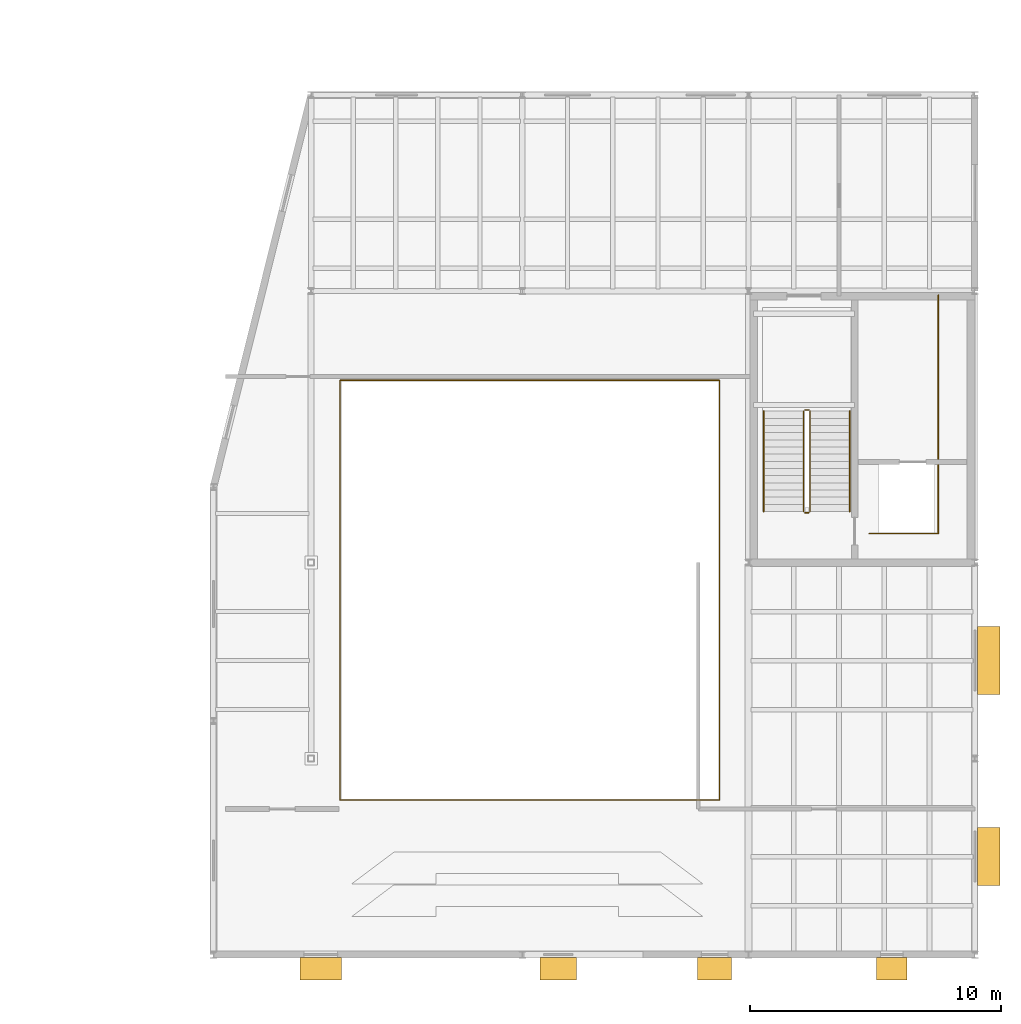
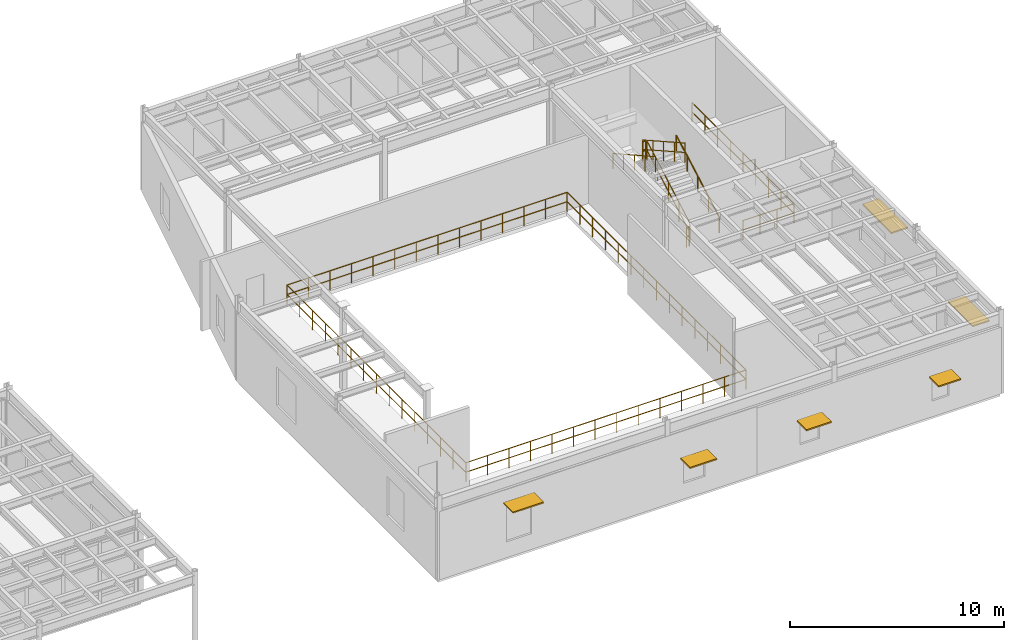
# One storey, part 116 of 116: 11 railings, 6 shading devices.
"""IFC4 building model written with IfcOpenShell, lengths in metres."""

from ifc_helpers import new_model, si_unit, direction, frame, origin, origin_2d, place, context, subcontext, project, spatial, rectangle, circle, extrude, material, layer, layer_set, type_object, element, save


model = new_model("IFC4")

# Units and contexts
model_context = context("Model", 3, precision=1e-05, world=origin(), true_north=direction((0.0, 1.0)))
body_context = subcontext(model_context, "Body", "Model", "MODEL_VIEW")
ifc_project = project(units=[si_unit("LENGTHUNIT", "METRE"), si_unit("AREAUNIT", "SQUARE_METRE"), si_unit("VOLUMEUNIT", "CUBIC_METRE"), si_unit("PLANEANGLEUNIT", "RADIAN"), si_unit("MASSUNIT", "GRAM", prefix="KILO")], contexts=[model_context])

# Site, building, storey
site_placement = place(None, origin())
site = spatial("IfcSite", under=ifc_project, at=site_placement, CompositionType="ELEMENT")
building_placement = place(site_placement, origin())
building = spatial("IfcBuilding", under=site, at=building_placement, Name="Selat Folded Stagehouse", CompositionType="ELEMENT")
storey_placement = place(building_placement, frame((0.0, 0.0, 5.39990234375)))
storey = spatial("IfcBuildingStorey", under=building, at=storey_placement, Name="L01", CompositionType="ELEMENT", Elevation=5.39990234375)

# Railings
ifc_material_1 = material(Name="Bronze-anodised steel balustrade", Category="steel")
ifc_layer_1 = layer(ifc_material_1, 0.06494140625)
ifc_layer_set_1 = layer_set([ifc_layer_1], Name="Bronze-anodised steel balustrade")
railing_type_1 = type_object("IfcRailingType", Name="RLG-BAL-1120", PredefinedType="BALUSTRADE", material=ifc_layer_set_1)
railing_1_placement = place(storey_placement, frame((135.550048828125, 6.14990234375, 0.0)))
element("IfcRailing", 1, at=railing_1_placement, inside=storey, type_object=railing_type_1, Name="L01 protective guard railing 042", PredefinedType="BALUSTRADE", context=body_context, shape_type="SweptSolid", body=[
    extrude(circle(Radius=0.02392578125, at=origin_2d()), frame((0.0, 0.0, 1.09619140625), z_axis=(1.0, 0.0, 0.0), x_axis=(0.0, 1.0, 0.0)), (0.0, 0.0, 1.0), 15.099853515625),
    extrude(circle(Radius=0.02392578125, at=origin_2d()), frame((0.0, 0.0, 0.56005859375), z_axis=(1.0, 0.0, 0.0), x_axis=(0.0, 1.0, 0.0)), (0.0, 0.0, 1.0), 15.099853515625),
    extrude(circle(Radius=0.02099609375, at=origin_2d()), origin(), (0.0, 0.0, 1.0), 1.072021484375),
    extrude(circle(Radius=0.02099609375, at=origin_2d()), frame((1.16162109375, 0.0, 0.0)), (0.0, 0.0, 1.0), 1.072021484375),
    extrude(circle(Radius=0.02099609375, at=origin_2d()), frame((2.322998046875, 0.0, 0.0)), (0.0, 0.0, 1.0), 1.072021484375),
    extrude(circle(Radius=0.02099609375, at=origin_2d()), frame((3.484619140625, 0.0, 0.0)), (0.0, 0.0, 1.0), 1.072021484375),
    extrude(circle(Radius=0.02099609375, at=origin_2d()), frame((4.64599609375, 0.0, 0.0)), (0.0, 0.0, 1.0), 1.072021484375),
    extrude(circle(Radius=0.02099609375, at=origin_2d()), frame((5.8076171875, 0.0, 0.0)), (0.0, 0.0, 1.0), 1.072021484375),
    extrude(circle(Radius=0.02099609375, at=origin_2d()), frame((6.96923828125, 0.0, 0.0)), (0.0, 0.0, 1.0), 1.072021484375),
    extrude(circle(Radius=0.02099609375, at=origin_2d()), frame((8.130615234375, 0.0, 0.0)), (0.0, 0.0, 1.0), 1.072021484375),
    extrude(circle(Radius=0.02099609375, at=origin_2d()), frame((9.292236328125, 0.0, 0.0)), (0.0, 0.0, 1.0), 1.072021484375),
    extrude(circle(Radius=0.02099609375, at=origin_2d()), frame((10.453857421875, 0.0, 0.0)), (0.0, 0.0, 1.0), 1.072021484375),
    extrude(circle(Radius=0.02099609375, at=origin_2d()), frame((11.615234375, 0.0, 0.0)), (0.0, 0.0, 1.0), 1.072021484375),
    extrude(circle(Radius=0.02099609375, at=origin_2d()), frame((12.77685546875, 0.0, 0.0)), (0.0, 0.0, 1.0), 1.072021484375),
    extrude(circle(Radius=0.02099609375, at=origin_2d()), frame((13.938232421875, 0.0, 0.0)), (0.0, 0.0, 1.0), 1.072021484375),
    extrude(circle(Radius=0.02099609375, at=origin_2d()), frame((15.099853515625, 0.0, 0.0)), (0.0, 0.0, 1.0), 1.072021484375),
])
railing_2_placement = place(storey_placement, frame((150.64990234375, 6.14990234375, 0.0)))
element("IfcRailing", 2, at=railing_2_placement, inside=storey, type_object=railing_type_1, Name="L01 protective guard railing 043", PredefinedType="BALUSTRADE", context=body_context, shape_type="SweptSolid", body=[
    extrude(circle(Radius=0.02392578125, at=origin_2d()), frame((0.0, 0.0, 1.09619140625), z_axis=(0.0, 1.0, 0.0), x_axis=(-1.0, 0.0, 0.0)), (0.0, 0.0, 1.0), 16.7001953125),
    extrude(circle(Radius=0.02392578125, at=origin_2d()), frame((0.0, 0.0, 0.56005859375), z_axis=(0.0, 1.0, 0.0), x_axis=(-1.0, 0.0, 0.0)), (0.0, 0.0, 1.0), 16.7001953125),
    extrude(circle(Radius=0.02099609375, at=origin_2d()), origin(), (0.0, 0.0, 1.0), 1.072021484375),
    extrude(circle(Radius=0.02099609375, at=origin_2d()), frame((0.0, 1.19287109375, 0.0)), (0.0, 0.0, 1.0), 1.072021484375),
    extrude(circle(Radius=0.02099609375, at=origin_2d()), frame((0.0, 2.3857421875, 0.0)), (0.0, 0.0, 1.0), 1.072021484375),
    extrude(circle(Radius=0.02099609375, at=origin_2d()), frame((0.0, 3.57861328125, 0.0)), (0.0, 0.0, 1.0), 1.072021484375),
    extrude(circle(Radius=0.02099609375, at=origin_2d()), frame((0.0, 4.771484375, 0.0)), (0.0, 0.0, 1.0), 1.072021484375),
    extrude(circle(Radius=0.02099609375, at=origin_2d()), frame((0.0, 5.96435546875, 0.0)), (0.0, 0.0, 1.0), 1.072021484375),
    extrude(circle(Radius=0.02099609375, at=origin_2d()), frame((0.0, 7.1572265625, 0.0)), (0.0, 0.0, 1.0), 1.072021484375),
    extrude(circle(Radius=0.02099609375, at=origin_2d()), frame((0.0, 8.35009765625, 0.0)), (0.0, 0.0, 1.0), 1.072021484375),
    extrude(circle(Radius=0.02099609375, at=origin_2d()), frame((0.0, 9.54296875, 0.0)), (0.0, 0.0, 1.0), 1.072021484375),
    extrude(circle(Radius=0.02099609375, at=origin_2d()), frame((0.0, 10.73583984375, 0.0)), (0.0, 0.0, 1.0), 1.072021484375),
    extrude(circle(Radius=0.02099609375, at=origin_2d()), frame((0.0, 11.9287109375, 0.0)), (0.0, 0.0, 1.0), 1.072021484375),
    extrude(circle(Radius=0.02099609375, at=origin_2d()), frame((0.0, 13.12158203125, 0.0)), (0.0, 0.0, 1.0), 1.072021484375),
    extrude(circle(Radius=0.02099609375, at=origin_2d()), frame((0.0, 14.314453125, 0.0)), (0.0, 0.0, 1.0), 1.072021484375),
    extrude(circle(Radius=0.02099609375, at=origin_2d()), frame((0.0, 15.50732421875, 0.0)), (0.0, 0.0, 1.0), 1.072021484375),
    extrude(circle(Radius=0.02099609375, at=origin_2d()), frame((0.0, 16.7001953125, 0.0)), (0.0, 0.0, 1.0), 1.072021484375),
])
railing_3_placement = place(storey_placement, frame((150.64990234375, 22.85009765625, 0.0)))
element("IfcRailing", 3, at=railing_3_placement, inside=storey, type_object=railing_type_1, Name="L01 protective guard railing 044", PredefinedType="BALUSTRADE", context=body_context, shape_type="SweptSolid", body=[
    extrude(circle(Radius=0.02392578125, at=origin_2d()), frame((0.0, 0.0, 1.09619140625), z_axis=(-1.0, 0.0, 0.0), x_axis=(0.0, -1.0, 0.0)), (0.0, 0.0, 1.0), 15.099853515625),
    extrude(circle(Radius=0.02392578125, at=origin_2d()), frame((0.0, 0.0, 0.56005859375), z_axis=(-1.0, 0.0, 0.0), x_axis=(0.0, -1.0, 0.0)), (0.0, 0.0, 1.0), 15.099853515625),
    extrude(circle(Radius=0.02099609375, at=origin_2d()), origin(), (0.0, 0.0, 1.0), 1.072021484375),
    extrude(circle(Radius=0.02099609375, at=origin_2d()), frame((-1.16162109375, 0.0, 0.0)), (0.0, 0.0, 1.0), 1.072021484375),
    extrude(circle(Radius=0.02099609375, at=origin_2d()), frame((-2.322998046875, 0.0, 0.0)), (0.0, 0.0, 1.0), 1.072021484375),
    extrude(circle(Radius=0.02099609375, at=origin_2d()), frame((-3.484619140625, 0.0, 0.0)), (0.0, 0.0, 1.0), 1.072021484375),
    extrude(circle(Radius=0.02099609375, at=origin_2d()), frame((-4.64599609375, 0.0, 0.0)), (0.0, 0.0, 1.0), 1.072021484375),
    extrude(circle(Radius=0.02099609375, at=origin_2d()), frame((-5.8076171875, 0.0, 0.0)), (0.0, 0.0, 1.0), 1.072021484375),
    extrude(circle(Radius=0.02099609375, at=origin_2d()), frame((-6.96923828125, 0.0, 0.0)), (0.0, 0.0, 1.0), 1.072021484375),
    extrude(circle(Radius=0.02099609375, at=origin_2d()), frame((-8.130615234375, 0.0, 0.0)), (0.0, 0.0, 1.0), 1.072021484375),
    extrude(circle(Radius=0.02099609375, at=origin_2d()), frame((-9.292236328125, 0.0, 0.0)), (0.0, 0.0, 1.0), 1.072021484375),
    extrude(circle(Radius=0.02099609375, at=origin_2d()), frame((-10.453857421875, 0.0, 0.0)), (0.0, 0.0, 1.0), 1.072021484375),
    extrude(circle(Radius=0.02099609375, at=origin_2d()), frame((-11.615234375, 0.0, 0.0)), (0.0, 0.0, 1.0), 1.072021484375),
    extrude(circle(Radius=0.02099609375, at=origin_2d()), frame((-12.77685546875, 0.0, 0.0)), (0.0, 0.0, 1.0), 1.072021484375),
    extrude(circle(Radius=0.02099609375, at=origin_2d()), frame((-13.938232421875, 0.0, 0.0)), (0.0, 0.0, 1.0), 1.072021484375),
    extrude(circle(Radius=0.02099609375, at=origin_2d()), frame((-15.099853515625, 0.0, 0.0)), (0.0, 0.0, 1.0), 1.072021484375),
])
railing_4_placement = place(storey_placement, frame((135.550048828125, 22.85009765625, 0.0)))
element("IfcRailing", 4, at=railing_4_placement, inside=storey, type_object=railing_type_1, Name="L01 protective guard railing 045", PredefinedType="BALUSTRADE", context=body_context, shape_type="SweptSolid", body=[
    extrude(circle(Radius=0.02392578125, at=origin_2d()), frame((0.0, 0.0, 1.09619140625), z_axis=(0.0, -1.0, 0.0), x_axis=(1.0, 0.0, 0.0)), (0.0, 0.0, 1.0), 16.7001953125),
    extrude(circle(Radius=0.02392578125, at=origin_2d()), frame((0.0, 0.0, 0.56005859375), z_axis=(0.0, -1.0, 0.0), x_axis=(1.0, 0.0, 0.0)), (0.0, 0.0, 1.0), 16.7001953125),
    extrude(circle(Radius=0.02099609375, at=origin_2d()), origin(), (0.0, 0.0, 1.0), 1.072021484375),
    extrude(circle(Radius=0.02099609375, at=origin_2d()), frame((0.0, -1.19287109375, 0.0)), (0.0, 0.0, 1.0), 1.072021484375),
    extrude(circle(Radius=0.02099609375, at=origin_2d()), frame((0.0, -2.3857421875, 0.0)), (0.0, 0.0, 1.0), 1.072021484375),
    extrude(circle(Radius=0.02099609375, at=origin_2d()), frame((0.0, -3.57861328125, 0.0)), (0.0, 0.0, 1.0), 1.072021484375),
    extrude(circle(Radius=0.02099609375, at=origin_2d()), frame((0.0, -4.771484375, 0.0)), (0.0, 0.0, 1.0), 1.072021484375),
    extrude(circle(Radius=0.02099609375, at=origin_2d()), frame((0.0, -5.96435546875, 0.0)), (0.0, 0.0, 1.0), 1.072021484375),
    extrude(circle(Radius=0.02099609375, at=origin_2d()), frame((0.0, -7.1572265625, 0.0)), (0.0, 0.0, 1.0), 1.072021484375),
    extrude(circle(Radius=0.02099609375, at=origin_2d()), frame((0.0, -8.35009765625, 0.0)), (0.0, 0.0, 1.0), 1.072021484375),
    extrude(circle(Radius=0.02099609375, at=origin_2d()), frame((0.0, -9.54296875, 0.0)), (0.0, 0.0, 1.0), 1.072021484375),
    extrude(circle(Radius=0.02099609375, at=origin_2d()), frame((0.0, -10.73583984375, 0.0)), (0.0, 0.0, 1.0), 1.072021484375),
    extrude(circle(Radius=0.02099609375, at=origin_2d()), frame((0.0, -11.9287109375, 0.0)), (0.0, 0.0, 1.0), 1.072021484375),
    extrude(circle(Radius=0.02099609375, at=origin_2d()), frame((0.0, -13.12158203125, 0.0)), (0.0, 0.0, 1.0), 1.072021484375),
    extrude(circle(Radius=0.02099609375, at=origin_2d()), frame((0.0, -14.314453125, 0.0)), (0.0, 0.0, 1.0), 1.072021484375),
    extrude(circle(Radius=0.02099609375, at=origin_2d()), frame((0.0, -15.50732421875, 0.0)), (0.0, 0.0, 1.0), 1.072021484375),
    extrude(circle(Radius=0.02099609375, at=origin_2d()), frame((0.0, -16.7001953125, 0.0)), (0.0, 0.0, 1.0), 1.072021484375),
])
railing_5_placement = place(storey_placement, frame((156.60009765625, 16.75, 0.0)))
element("IfcRailing", 5, at=railing_5_placement, inside=storey, type_object=railing_type_1, Name="L01 CR-4 shaft rim guard", PredefinedType="BALUSTRADE", context=body_context, shape_type="SweptSolid", body=[
    extrude(circle(Radius=0.02392578125, at=origin_2d()), frame((0.0, 0.0, 1.09619140625), z_axis=(1.0, 0.0, 0.0), x_axis=(0.0, 1.0, 0.0)), (0.0, 0.0, 1.0), 2.75),
    extrude(circle(Radius=0.02392578125, at=origin_2d()), frame((0.0, 0.0, 0.56005859375), z_axis=(1.0, 0.0, 0.0), x_axis=(0.0, 1.0, 0.0)), (0.0, 0.0, 1.0), 2.75),
    extrude(circle(Radius=0.02392578125, at=origin_2d()), frame((2.75, 0.0, 1.09619140625), z_axis=(0.0, 1.0, 0.0), x_axis=(-1.0, 0.0, 0.0)), (0.0, 0.0, 1.0), 9.5),
    extrude(circle(Radius=0.02392578125, at=origin_2d()), frame((2.75, 0.0, 0.56005859375), z_axis=(0.0, 1.0, 0.0), x_axis=(-1.0, 0.0, 0.0)), (0.0, 0.0, 1.0), 9.5),
    extrude(circle(Radius=0.02099609375, at=origin_2d()), origin(), (0.0, 0.0, 1.0), 1.072021484375),
    extrude(circle(Radius=0.02099609375, at=origin_2d()), frame((0.916748046875, 0.0, 0.0)), (0.0, 0.0, 1.0), 1.072021484375),
    extrude(circle(Radius=0.02099609375, at=origin_2d()), frame((1.833251953125, 0.0, 0.0)), (0.0, 0.0, 1.0), 1.072021484375),
    extrude(circle(Radius=0.02099609375, at=origin_2d()), frame((2.75, 0.0, 0.0)), (0.0, 0.0, 1.0), 1.072021484375),
    extrude(circle(Radius=0.02099609375, at=origin_2d()), frame((2.75, 1.1875, 0.0)), (0.0, 0.0, 1.0), 1.072021484375),
    extrude(circle(Radius=0.02099609375, at=origin_2d()), frame((2.75, 2.375, 0.0)), (0.0, 0.0, 1.0), 1.072021484375),
    extrude(circle(Radius=0.02099609375, at=origin_2d()), frame((2.75, 3.5625, 0.0)), (0.0, 0.0, 1.0), 1.072021484375),
    extrude(circle(Radius=0.02099609375, at=origin_2d()), frame((2.75, 4.75, 0.0)), (0.0, 0.0, 1.0), 1.072021484375),
    extrude(circle(Radius=0.02099609375, at=origin_2d()), frame((2.75, 5.9375, 0.0)), (0.0, 0.0, 1.0), 1.072021484375),
    extrude(circle(Radius=0.02099609375, at=origin_2d()), frame((2.75, 7.125, 0.0)), (0.0, 0.0, 1.0), 1.072021484375),
    extrude(circle(Radius=0.02099609375, at=origin_2d()), frame((2.75, 8.3125, 0.0)), (0.0, 0.0, 1.0), 1.072021484375),
    extrude(circle(Radius=0.02099609375, at=origin_2d()), frame((2.75, 9.5, 0.0)), (0.0, 0.0, 1.0), 1.072021484375),
])
railing_6_placement = place(storey_placement, frame((154.25, 17.6298828125, 0.16015625)))
element("IfcRailing", 6, at=railing_6_placement, inside=storey, type_object=railing_type_1, Name="L01 ST-04 stair well guard 1", PredefinedType="BALUSTRADE", context=body_context, shape_type="SweptSolid", body=[
    extrude(circle(Radius=0.02392578125, at=origin_2d()), frame((0.0, 0.0, 1.09619140625), z_axis=(0.0, 0.871996970297, 0.489511270342), x_axis=(-1.0, 0.0, 0.0)), (0.0, 0.0, 1.0), 4.575927734375),
    extrude(circle(Radius=0.02392578125, at=origin_2d()), frame((0.0, 0.0, 0.56005859375), z_axis=(0.0, 0.871996970297, 0.489511270342), x_axis=(-1.0, 0.0, 0.0)), (0.0, 0.0, 1.0), 4.575927734375),
    extrude(circle(Radius=0.02099609375, at=origin_2d()), origin(), (0.0, 0.0, 1.0), 1.072021484375),
    extrude(circle(Radius=0.02099609375, at=origin_2d()), frame((0.0, 0.99755859375, 0.56005859375)), (0.0, 0.0, 1.0), 1.072021484375),
    extrude(circle(Radius=0.02099609375, at=origin_2d()), frame((0.0, 1.9951171875, 1.1201171875)), (0.0, 0.0, 1.0), 1.072021484375),
    extrude(circle(Radius=0.02099609375, at=origin_2d()), frame((0.0, 2.99267578125, 1.679931640625)), (0.0, 0.0, 1.0), 1.072021484375),
    extrude(circle(Radius=0.02099609375, at=origin_2d()), frame((0.0, 3.990234375, 2.239990234375)), (0.0, 0.0, 1.0), 1.072021484375),
])
railing_7_placement = place(storey_placement, frame((154.199951171875, 21.669921875, 2.400146484375)))
element("IfcRailing", 7, at=railing_7_placement, inside=storey, type_object=railing_type_1, Name="L01 ST-04 stair well guard 2", PredefinedType="BALUSTRADE", context=body_context, shape_type="SweptSolid", body=[
    extrude(circle(Radius=0.02392578125, at=origin_2d()), frame((0.0, 0.0, 1.09619140625), z_axis=(-1.0, 0.0, 0.0), x_axis=(0.0, -1.0, 0.0)), (0.0, 0.0, 1.0), 0.159912109375),
    extrude(circle(Radius=0.02392578125, at=origin_2d()), frame((0.0, 0.0, 0.56005859375), z_axis=(-1.0, 0.0, 0.0), x_axis=(0.0, -1.0, 0.0)), (0.0, 0.0, 1.0), 0.159912109375),
    extrude(circle(Radius=0.02099609375, at=origin_2d()), origin(), (0.0, 0.0, 1.0), 1.072021484375),
    extrude(circle(Radius=0.02099609375, at=origin_2d()), frame((-0.159912109375, 0.0, 0.0)), (0.0, 0.0, 1.0), 1.072021484375),
])
railing_8_placement = place(storey_placement, frame((153.989990234375, 21.6201171875, 2.56005859375)))
element("IfcRailing", 8, at=railing_8_placement, inside=storey, type_object=railing_type_1, Name="L01 ST-04 stair well guard 3", PredefinedType="BALUSTRADE", context=body_context, shape_type="SweptSolid", body=[
    extrude(circle(Radius=0.02392578125, at=origin_2d()), frame((0.0, 0.0, 1.09619140625), z_axis=(0.0, -0.871996970297, 0.489511270342), x_axis=(1.0, 0.0, 0.0)), (0.0, 0.0, 1.0), 4.575927734375),
    extrude(circle(Radius=0.02392578125, at=origin_2d()), frame((0.0, 0.0, 0.56005859375), z_axis=(0.0, -0.871996970297, 0.489511270342), x_axis=(1.0, 0.0, 0.0)), (0.0, 0.0, 1.0), 4.575927734375),
    extrude(circle(Radius=0.02099609375, at=origin_2d()), origin(), (0.0, 0.0, 1.0), 1.072021484375),
    extrude(circle(Radius=0.02099609375, at=origin_2d()), frame((0.0, -0.99755859375, 0.56005859375)), (0.0, 0.0, 1.0), 1.072021484375),
    extrude(circle(Radius=0.02099609375, at=origin_2d()), frame((0.0, -1.9951171875, 1.1201171875)), (0.0, 0.0, 1.0), 1.072021484375),
    extrude(circle(Radius=0.02099609375, at=origin_2d()), frame((0.0, -2.99267578125, 1.679931640625)), (0.0, 0.0, 1.0), 1.072021484375),
    extrude(circle(Radius=0.02099609375, at=origin_2d()), frame((0.0, -3.990234375, 2.239990234375)), (0.0, 0.0, 1.0), 1.072021484375),
])
railing_9_placement = place(storey_placement, frame((154.199951171875, 17.580078125, 0.0)))
element("IfcRailing", 9, at=railing_9_placement, inside=storey, type_object=railing_type_1, Name="L01 ST-04 stair well guard 4", PredefinedType="BALUSTRADE", context=body_context, shape_type="SweptSolid", body=[
    extrude(circle(Radius=0.02392578125, at=origin_2d()), frame((0.0, 0.0, 1.09619140625), z_axis=(-1.0, 0.0, 0.0), x_axis=(0.0, -1.0, 0.0)), (0.0, 0.0, 1.0), 0.159912109375),
    extrude(circle(Radius=0.02392578125, at=origin_2d()), frame((0.0, 0.0, 0.56005859375), z_axis=(-1.0, 0.0, 0.0), x_axis=(0.0, -1.0, 0.0)), (0.0, 0.0, 1.0), 0.159912109375),
    extrude(circle(Radius=0.02099609375, at=origin_2d()), origin(), (0.0, 0.0, 1.0), 1.072021484375),
    extrude(circle(Radius=0.02099609375, at=origin_2d()), frame((-0.159912109375, 0.0, 0.0)), (0.0, 0.0, 1.0), 1.072021484375),
])
ifc_material_2 = material(Name="Brushed stainless steel 1.4301", Category="steel")
ifc_layer_2 = layer(ifc_material_2, 0.048095703125)
ifc_layer_set_2 = layer_set([ifc_layer_2], Name="Brushed stainless steel 1.4301")
railing_type_2 = type_object("IfcRailingType", Name="RLG-HANDRAIL-900", PredefinedType="HANDRAIL", material=ifc_layer_set_2)
railing_10_placement = place(storey_placement, frame((155.830078125, 17.6298828125, 0.16015625)))
element("IfcRailing", 10, at=railing_10_placement, inside=storey, type_object=railing_type_2, Name="L01 ST-04 wall handrail 1", PredefinedType="HANDRAIL", context=body_context, shape_type="SweptSolid", body=[
    extrude(circle(Radius=0.02392578125, at=origin_2d()), frame((0.0, 0.0, 0.8759765625), z_axis=(0.0, 0.871996970297, 0.489511270342), x_axis=(-1.0, 0.0, 0.0)), (0.0, 0.0, 1.0), 4.575927734375),
    extrude(circle(Radius=0.02099609375, at=origin_2d()), origin(), (0.0, 0.0, 1.0), 0.851806640625),
    extrude(circle(Radius=0.02099609375, at=origin_2d()), frame((0.0, 0.99755859375, 0.56005859375)), (0.0, 0.0, 1.0), 0.851806640625),
    extrude(circle(Radius=0.02099609375, at=origin_2d()), frame((0.0, 1.9951171875, 1.1201171875)), (0.0, 0.0, 1.0), 0.851806640625),
    extrude(circle(Radius=0.02099609375, at=origin_2d()), frame((0.0, 2.99267578125, 1.679931640625)), (0.0, 0.0, 1.0), 0.851806640625),
    extrude(circle(Radius=0.02099609375, at=origin_2d()), frame((0.0, 3.990234375, 2.239990234375)), (0.0, 0.0, 1.0), 0.851806640625),
])
railing_11_placement = place(storey_placement, frame((152.409912109375, 21.6201171875, 2.56005859375)))
element("IfcRailing", 11, at=railing_11_placement, inside=storey, type_object=railing_type_2, Name="L01 ST-04 wall handrail 2", PredefinedType="HANDRAIL", context=body_context, shape_type="SweptSolid", body=[
    extrude(circle(Radius=0.02392578125, at=origin_2d()), frame((0.0, 0.0, 0.8759765625), z_axis=(0.0, -0.871996970297, 0.489511270342), x_axis=(1.0, 0.0, 0.0)), (0.0, 0.0, 1.0), 4.575927734375),
    extrude(circle(Radius=0.02099609375, at=origin_2d()), origin(), (0.0, 0.0, 1.0), 0.851806640625),
    extrude(circle(Radius=0.02099609375, at=origin_2d()), frame((0.0, -0.99755859375, 0.56005859375)), (0.0, 0.0, 1.0), 0.851806640625),
    extrude(circle(Radius=0.02099609375, at=origin_2d()), frame((0.0, -1.9951171875, 1.1201171875)), (0.0, 0.0, 1.0), 0.851806640625),
    extrude(circle(Radius=0.02099609375, at=origin_2d()), frame((0.0, -2.99267578125, 1.679931640625)), (0.0, 0.0, 1.0), 0.851806640625),
    extrude(circle(Radius=0.02099609375, at=origin_2d()), frame((0.0, -3.990234375, 2.239990234375)), (0.0, 0.0, 1.0), 0.851806640625),
])

# Shading devices
ifc_material_3 = material(Name="Bronze-anodised aluminium 6063-T6", Category="aluminium")
ifc_layer_3 = layer(ifc_material_3, 0.074951171875)
ifc_layer_set_3 = layer_set([ifc_layer_3], Name="Bronze-anodised aluminium 6063-T6")
shading_device_type = type_object("IfcShadingDeviceType", Name="SHD-HOOD-900x75", PredefinedType="USERDEFINED", material=ifc_layer_set_3)
shading_device_1_placement = place(storey_placement, frame((157.5, -0.5576171875, 2.2626953125), z_axis=(0.0, 0.0, 1.0), x_axis=(-1.0, 0.0, 0.0)))
element("IfcShadingDevice", 12, at=shading_device_1_placement, inside=storey, type_object=shading_device_type, Name="L01 monsoon window sunhood 03", ObjectType="SUNSHADE", PredefinedType="USERDEFINED", context=body_context, shape_type="SweptSolid", body=[
    extrude(rectangle(XDim=1.199951171875, YDim=0.89990234375, at=origin_2d()), origin(), (0.0, 0.0, 1.0), 0.074951171875),
])
shading_device_2_placement = place(storey_placement, frame((150.449951171875, -0.5576171875, 2.2626953125), z_axis=(0.0, 0.0, 1.0), x_axis=(-1.0, 0.0, 0.0)))
element("IfcShadingDevice", 13, at=shading_device_2_placement, inside=storey, type_object=shading_device_type, Name="L01 monsoon window sunhood 04", ObjectType="SUNSHADE", PredefinedType="USERDEFINED", context=body_context, shape_type="SweptSolid", body=[
    extrude(rectangle(XDim=1.35009765625, YDim=0.89990234375, at=origin_2d()), origin(), (0.0, 0.0, 1.0), 0.074951171875),
])
shading_device_3_placement = place(storey_placement, frame((144.2275390625, -0.5576171875, 2.3125), z_axis=(0.0, 0.0, 1.0), x_axis=(-1.0, 0.0, 0.0)))
element("IfcShadingDevice", 14, at=shading_device_3_placement, inside=storey, type_object=shading_device_type, Name="L01 monsoon window sunhood 05", ObjectType="SUNSHADE", PredefinedType="USERDEFINED", context=body_context, shape_type="SweptSolid", body=[
    extrude(rectangle(XDim=1.449951171875, YDim=0.89990234375, at=origin_2d()), origin(), (0.0, 0.0, 1.0), 0.074951171875),
])
shading_device_4_placement = place(storey_placement, frame((134.782958984375, -0.5576171875, 3.11279296875), z_axis=(0.0, 0.0, 1.0), x_axis=(-1.0, 0.0, 0.0)))
element("IfcShadingDevice", 15, at=shading_device_4_placement, inside=storey, type_object=shading_device_type, Name="L01 monsoon window sunhood 06", ObjectType="SUNSHADE", PredefinedType="USERDEFINED", context=body_context, shape_type="SweptSolid", body=[
    extrude(rectangle(XDim=1.64990234375, YDim=0.89990234375, at=origin_2d()), origin(), (0.0, 0.0, 1.0), 0.074951171875),
])
shading_device_5_placement = place(storey_placement, frame((161.357421875, 11.699951171875, 2.71240234375), z_axis=(0.0, 0.0, 1.0), x_axis=(0.0, -1.0, 0.0)))
element("IfcShadingDevice", 16, at=shading_device_5_placement, inside=storey, type_object=shading_device_type, Name="L01 monsoon window sunhood 07", ObjectType="SUNSHADE", PredefinedType="USERDEFINED", context=body_context, shape_type="SweptSolid", body=[
    extrude(rectangle(XDim=2.699951171875, YDim=0.89990234375, at=origin_2d()), origin(), (0.0, 0.0, 1.0), 0.074951171875),
])
shading_device_6_placement = place(storey_placement, frame((161.357421875, 3.89990234375, 2.0126953125), z_axis=(0.0, 0.0, 1.0), x_axis=(0.0, -1.0, 0.0)))
element("IfcShadingDevice", 17, at=shading_device_6_placement, inside=storey, type_object=shading_device_type, Name="L01 monsoon window sunhood 08", ObjectType="SUNSHADE", PredefinedType="USERDEFINED", context=body_context, shape_type="SweptSolid", body=[
    extrude(rectangle(XDim=2.300048828125, YDim=0.89990234375, at=origin_2d()), origin(), (0.0, 0.0, 1.0), 0.074951171875),
])

save(model, "model.ifc")
